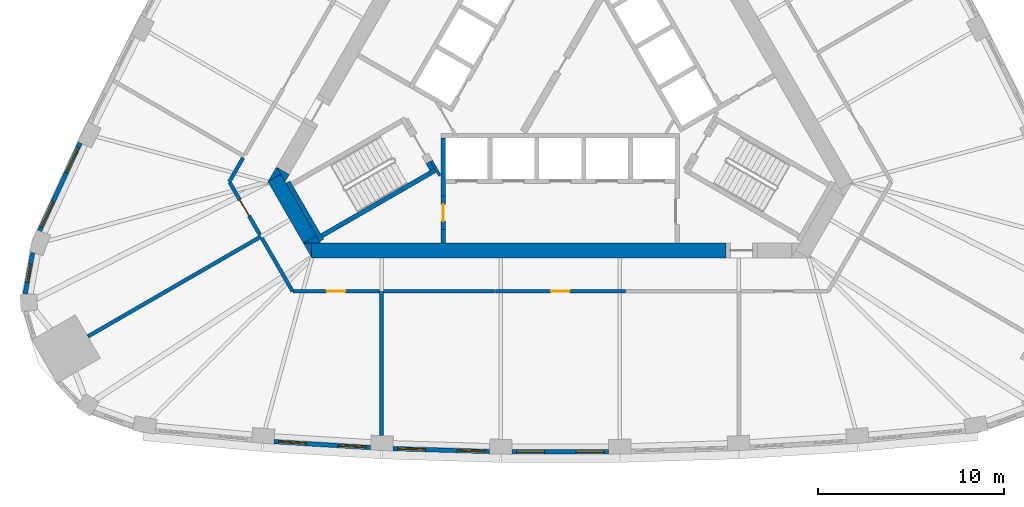
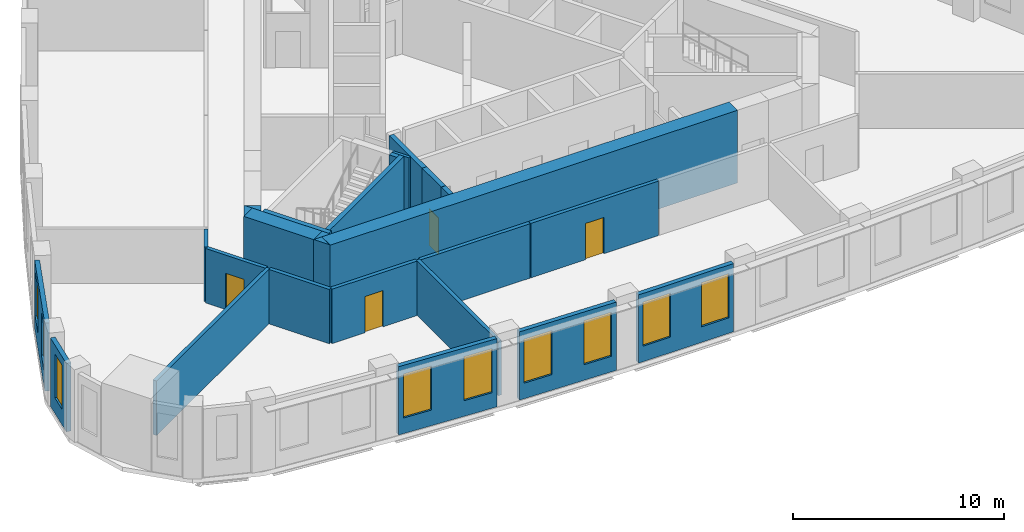
# One storey, part 3 of 9: 26 walls, 9 windows, 4 doors, 13 openings.
"""IFC4 building model written with IfcOpenShell, lengths in metres."""

from ifc_helpers import new_model, si_unit, direction, frame, frame_2d, origin, place, context, subcontext, project, spatial, polyline, rectangle, outline, extrude, material, layer, layer_set, type_object, element, fill, save


model = new_model("IFC4")

# Units and contexts
model_context = context("Model", 3, precision=1e-05, world=origin(), true_north=direction((0.0, 1.0)))
body_context = subcontext(model_context, "Body", "Model", "MODEL_VIEW")
ifc_project = project(units=[si_unit("LENGTHUNIT", "METRE"), si_unit("AREAUNIT", "SQUARE_METRE"), si_unit("VOLUMEUNIT", "CUBIC_METRE"), si_unit("PLANEANGLEUNIT", "RADIAN"), si_unit("MASSUNIT", "GRAM", prefix="KILO")], contexts=[model_context])

# Site, building, storey
site_placement = place(None, origin())
site = spatial("IfcSite", under=ifc_project, at=site_placement, CompositionType="ELEMENT")
building_placement = place(site_placement, origin())
building = spatial("IfcBuilding", under=site, at=building_placement, Name="Mestral Congress Tower", CompositionType="ELEMENT")
storey_placement = place(building_placement, frame((0.0, 0.0, 187.800048828125)))
storey = spatial("IfcBuildingStorey", under=building, at=storey_placement, Name="L44", CompositionType="ELEMENT", Elevation=187.800048828125)

# Walls
ifc_material_1 = material(Name="Concrete C60/75", Category="concrete")
ifc_layer_1 = layer(ifc_material_1, 0.800048828125)
ifc_layer_set_1 = layer_set([ifc_layer_1], Name="Concrete C60/75")
wall_type_1 = type_object("IfcWallType", Name="Core wall RC 800", PredefinedType="SOLIDWALL", material=ifc_layer_set_1)
wall_1_placement = place(storey_placement, frame((-13.377685546875, -10.050048828125, 0.0), z_axis=(0.0, 0.0, 1.0), x_axis=(1.0, 0.0, 0.0)))
element("IfcWall", 1, at=wall_1_placement, inside=storey, type_object=wall_type_1, Name="L44 core wall", PredefinedType="SOLIDWALL", context=body_context, shape_type="SweptSolid", body=[
    extrude(rectangle(XDim=22.281982421875, YDim=0.800048828125, at=frame_2d((11.14111328125, 0.0))), origin(), (0.0, 0.0, 1.0), 4.199951171875),
])
placement = place(storey_placement, origin())
element("IfcWall", 2, at=placement, inside=storey, type_object=wall_type_1, Name="L44 core wall", PredefinedType="SOLIDWALL", context=body_context, shape_type="SweptSolid", body=[
    extrude(outline(polyline([(-13.82763671875, -9.64990234375), (-13.379638671875, -9.64990234375), (-13.379638671875, -10.42578125), (-13.82763671875, -9.64990234375)])), origin(), (0.0, 0.0, 1.0), 4.199951171875),
])
wall_3_placement = place(storey_placement, frame((-15.392333984375, -6.1396484375, 0.0), z_axis=(0.0, 0.0, 1.0), x_axis=(0.499984020225, -0.866034629516, 0.0)))
element("IfcWall", 3, at=wall_3_placement, inside=storey, type_object=wall_type_1, Name="L44 core wall", PredefinedType="SOLIDWALL", context=body_context, shape_type="SweptSolid", body=[
    extrude(rectangle(XDim=3.824462890625, YDim=0.800048828125, at=frame_2d((1.912109375, 0.0))), origin(), (0.0, 0.0, 1.0), 4.199951171875),
])
element("IfcWall", 4, at=placement, inside=storey, type_object=wall_type_1, Name="L44 core wall", PredefinedType="SOLIDWALL", context=body_context, shape_type="SweptSolid", body=[
    extrude(outline(polyline([(-15.046875, -5.93798828125), (-15.718994140625, -6.325927734375), (-15.27099609375, -5.550048828125), (-15.046875, -5.93798828125)])), origin(), (0.0, 0.0, 1.0), 4.199951171875),
])
element("IfcWall", 5, at=placement, inside=storey, type_object=wall_type_1, Name="L44 core wall", PredefinedType="SOLIDWALL", context=body_context, shape_type="SweptSolid", body=[
    extrude(outline(polyline([(-12.90380859375, -9.64990234375), (-13.81982421875, -9.64990234375), (-13.1328125, -9.25341796875), (-12.90380859375, -9.64990234375)])), origin(), (0.0, 0.0, 1.0), 4.199951171875),
])
element("IfcWall", 6, at=placement, inside=storey, type_object=wall_type_1, Name="L44 core wall", PredefinedType="SOLIDWALL", context=body_context, shape_type="SweptSolid", body=[
    extrude(outline(polyline([(-14.80908203125, -6.35009765625), (-15.257080078125, -5.573974609375), (-14.5849609375, -5.9619140625), (-14.80908203125, -6.35009765625)])), origin(), (0.0, 0.0, 1.0), 4.199951171875),
])

# Wall, openings, windows
ifc_material_2 = material(Name="Precast concrete C40/50 with limestone facing", Category="masonry")
ifc_layer_2 = layer(ifc_material_2, 0.239990234375)
ifc_layer_set_2 = layer_set([ifc_layer_2], Name="Precast concrete C40/50 with limestone facing")
wall_type_2 = type_object("IfcWallType", Name="Facade stone wall 240", PredefinedType="SOLIDWALL", material=ifc_layer_set_2)
wall_7_placement = place(storey_placement, frame((-15.404541015625, -20.33837890625, 0.0), z_axis=(0.0, 0.0, 1.0), x_axis=(0.998135294646, -0.061040425794, 0.0)))
wall_7 = element("IfcWall", 7, at=wall_7_placement, inside=storey, type_object=wall_type_2, Name="Facade wall F0-01", PredefinedType="SOLIDWALL", context=body_context, shape_type="SweptSolid", body=[
    extrude(rectangle(XDim=5.20361328125, YDim=0.239990234375, at=frame_2d((2.601806640625, 0.0))), origin(), (0.0, 0.0, 1.0), 3.949951171875),
])
opening_1_placement = place(wall_7_placement, frame((0.248291015625, 0.0, 0.89990234375)))
opening_1 = element("IfcOpeningElement", 8, at=opening_1_placement, cuts=wall_7, Name="Opening W4", PredefinedType="OPENING", context=body_context, shape_type="SweptSolid", body=[
    extrude(rectangle(XDim=1.5, YDim=2.550048828125, at=frame_2d((0.75, 1.27490234375))), frame((0.0, 0.1298828125, 0.0), z_axis=(0.0, -1.0, 0.0), x_axis=(1.0, 0.0, 0.0)), (0.0, 0.0, 1.0), 0.260009765625),
])
opening_2_placement = place(wall_7_placement, frame((3.455078125, 0.0, 0.89990234375)))
opening_2 = element("IfcOpeningElement", 9, at=opening_2_placement, cuts=wall_7, Name="Opening W4", PredefinedType="OPENING", context=body_context, shape_type="SweptSolid", body=[
    extrude(rectangle(XDim=1.5, YDim=2.550048828125, at=frame_2d((0.75, 1.27490234375))), frame((0.0, 0.1298828125, 0.0), z_axis=(0.0, -1.0, 0.0), x_axis=(1.0, 0.0, 0.0)), (0.0, 0.0, 1.0), 0.260009765625),
])
ifc_material_3 = material(Name="Clear low-emissivity double glazing", Category="glass")
window_type_1 = type_object("IfcWindowType", Name="Facade punched window 1500 x 2550 sill 900", PartitioningType="SINGLE_PANEL", PredefinedType="WINDOW", material=ifc_material_3)
window_1_placement = place(opening_1_placement, origin())
window_1 = element("IfcWindow", 10, at=window_1_placement, inside=storey, type_object=window_type_1, Name="Window F0-01a", OverallHeight=2.550048828125, OverallWidth=1.5, PartitioningType="SINGLE_PANEL", PredefinedType="WINDOW", context=body_context, shape_type="SweptSolid", body=[
    extrude(rectangle(XDim=1.5, YDim=2.550048828125, at=frame_2d((0.75, 1.27490234375))), frame((0.0, 0.0400390625, 0.0), z_axis=(0.0, -1.0, 0.0), x_axis=(1.0, 0.0, 0.0)), (0.0, 0.0, 1.0), 0.06005859375),
])
fill(opening_1, window_1)
window_2_placement = place(opening_2_placement, origin())
window_2 = element("IfcWindow", 11, at=window_2_placement, inside=storey, type_object=window_type_1, Name="Window F0-01b", OverallHeight=2.550048828125, OverallWidth=1.5, PartitioningType="SINGLE_PANEL", PredefinedType="WINDOW", context=body_context, shape_type="SweptSolid", body=[
    extrude(rectangle(XDim=1.5, YDim=2.550048828125, at=frame_2d((0.75, 1.27490234375))), frame((0.0, 0.0400390625, 0.0), z_axis=(0.0, -1.0, 0.0), x_axis=(1.0, 0.0, 0.0)), (0.0, 0.0, 1.0), 0.06005859375),
])
fill(opening_2, window_2)

wall_8_placement = place(storey_placement, frame((-9.00732421875, -20.7109375, 0.0), z_axis=(0.0, 0.0, 1.0), x_axis=(0.999533441983, -0.030543384845, 0.0)))
wall_8 = element("IfcWall", 12, at=wall_8_placement, inside=storey, type_object=wall_type_2, Name="Facade wall F0-02", PredefinedType="SOLIDWALL", context=body_context, shape_type="SweptSolid", body=[
    extrude(rectangle(XDim=5.20361328125, YDim=0.239990234375, at=frame_2d((2.601806640625, 0.0))), origin(), (0.0, 0.0, 1.0), 3.949951171875),
])
opening_3_placement = place(wall_8_placement, frame((0.248291015625, 0.0, 0.89990234375)))
opening_3 = element("IfcOpeningElement", 13, at=opening_3_placement, cuts=wall_8, Name="Opening W4", PredefinedType="OPENING", context=body_context, shape_type="SweptSolid", body=[
    extrude(rectangle(XDim=1.5, YDim=2.550048828125, at=frame_2d((0.75, 1.27490234375))), frame((0.0, 0.1298828125, 0.0), z_axis=(0.0, -1.0, 0.0), x_axis=(1.0, 0.0, 0.0)), (0.0, 0.0, 1.0), 0.260009765625),
])
opening_4_placement = place(wall_8_placement, frame((3.455078125, 0.0, 0.89990234375)))
opening_4 = element("IfcOpeningElement", 14, at=opening_4_placement, cuts=wall_8, Name="Opening W4", PredefinedType="OPENING", context=body_context, shape_type="SweptSolid", body=[
    extrude(rectangle(XDim=1.5, YDim=2.550048828125, at=frame_2d((0.75, 1.27490234375))), frame((0.0, 0.1298828125, 0.0), z_axis=(0.0, -1.0, 0.0), x_axis=(1.0, 0.0, 0.0)), (0.0, 0.0, 1.0), 0.260009765625),
])
window_3_placement = place(opening_3_placement, origin())
window_3 = element("IfcWindow", 15, at=window_3_placement, inside=storey, type_object=window_type_1, Name="Window F0-02a", OverallHeight=2.550048828125, OverallWidth=1.5, PartitioningType="SINGLE_PANEL", PredefinedType="WINDOW", context=body_context, shape_type="SweptSolid", body=[
    extrude(rectangle(XDim=1.5, YDim=2.550048828125, at=frame_2d((0.75, 1.27490234375))), frame((0.0, 0.0400390625, 0.0), z_axis=(0.0, -1.0, 0.0), x_axis=(1.0, 0.0, 0.0)), (0.0, 0.0, 1.0), 0.06005859375),
])
fill(opening_3, window_3)
window_4_placement = place(opening_4_placement, origin())
window_4 = element("IfcWindow", 16, at=window_4_placement, inside=storey, type_object=window_type_1, Name="Window F0-02b", OverallHeight=2.550048828125, OverallWidth=1.5, PartitioningType="SINGLE_PANEL", PredefinedType="WINDOW", context=body_context, shape_type="SweptSolid", body=[
    extrude(rectangle(XDim=1.5, YDim=2.550048828125, at=frame_2d((0.75, 1.27490234375))), frame((0.0, 0.0400390625, 0.0), z_axis=(0.0, -1.0, 0.0), x_axis=(1.0, 0.0, 0.0)), (0.0, 0.0, 1.0), 0.06005859375),
])
fill(opening_4, window_4)

wall_9_placement = place(storey_placement, frame((-2.601806640625, -20.88818359375, 0.0), z_axis=(0.0, 0.0, 1.0), x_axis=(1.0, 0.0, 0.0)))
wall_9 = element("IfcWall", 17, at=wall_9_placement, inside=storey, type_object=wall_type_2, Name="Facade wall F0-03", PredefinedType="SOLIDWALL", context=body_context, shape_type="SweptSolid", body=[
    extrude(rectangle(XDim=5.20361328125, YDim=0.239990234375, at=frame_2d((2.601806640625, 0.0))), origin(), (0.0, 0.0, 1.0), 3.949951171875),
])
opening_5_placement = place(wall_9_placement, frame((0.248291015625, 0.0, 0.89990234375)))
opening_5 = element("IfcOpeningElement", 18, at=opening_5_placement, cuts=wall_9, Name="Opening W4", PredefinedType="OPENING", context=body_context, shape_type="SweptSolid", body=[
    extrude(rectangle(XDim=1.5, YDim=2.550048828125, at=frame_2d((0.75, 1.27490234375))), frame((0.0, 0.1298828125, 0.0), z_axis=(0.0, -1.0, 0.0), x_axis=(1.0, 0.0, 0.0)), (0.0, 0.0, 1.0), 0.260009765625),
])
opening_6_placement = place(wall_9_placement, frame((3.455078125, 0.0, 0.89990234375)))
opening_6 = element("IfcOpeningElement", 19, at=opening_6_placement, cuts=wall_9, Name="Opening W4", PredefinedType="OPENING", context=body_context, shape_type="SweptSolid", body=[
    extrude(rectangle(XDim=1.5, YDim=2.550048828125, at=frame_2d((0.75, 1.27490234375))), frame((0.0, 0.1298828125, 0.0), z_axis=(0.0, -1.0, 0.0), x_axis=(1.0, 0.0, 0.0)), (0.0, 0.0, 1.0), 0.260009765625),
])
window_5_placement = place(opening_5_placement, origin())
window_5 = element("IfcWindow", 20, at=window_5_placement, inside=storey, type_object=window_type_1, Name="Window F0-03a", OverallHeight=2.550048828125, OverallWidth=1.5, PartitioningType="SINGLE_PANEL", PredefinedType="WINDOW", context=body_context, shape_type="SweptSolid", body=[
    extrude(rectangle(XDim=1.5, YDim=2.550048828125, at=frame_2d((0.75, 1.27490234375))), frame((0.0, 0.0400390625, 0.0), z_axis=(0.0, -1.0, 0.0), x_axis=(1.0, 0.0, 0.0)), (0.0, 0.0, 1.0), 0.06005859375),
])
fill(opening_5, window_5)
window_6_placement = place(opening_6_placement, origin())
window_6 = element("IfcWindow", 21, at=window_6_placement, inside=storey, type_object=window_type_1, Name="Window F0-03b", OverallHeight=2.550048828125, OverallWidth=1.5, PartitioningType="SINGLE_PANEL", PredefinedType="WINDOW", context=body_context, shape_type="SweptSolid", body=[
    extrude(rectangle(XDim=1.5, YDim=2.550048828125, at=frame_2d((0.75, 1.27490234375))), frame((0.0, 0.0400390625, 0.0), z_axis=(0.0, -1.0, 0.0), x_axis=(1.0, 0.0, 0.0)), (0.0, 0.0, 1.0), 0.06005859375),
])
fill(opening_6, window_6)

wall_10_placement = place(storey_placement, frame((-25.8369140625, -4.2578125, 0.0), z_axis=(0.0, 0.0, 1.0), x_axis=(-0.418722559465, -0.908114209885, 0.0)))
wall_10 = element("IfcWall", 22, at=wall_10_placement, inside=storey, type_object=wall_type_2, Name="Facade wall F2-06", PredefinedType="SOLIDWALL", context=body_context, shape_type="SweptSolid", body=[
    extrude(rectangle(XDim=5.213134765625, YDim=0.239990234375, at=frame_2d((2.6064453125, 0.0))), origin(), (0.0, 0.0, 1.0), 3.949951171875),
])
opening_7_placement = place(wall_10_placement, frame((0.2607421875, 0.0, 0.89990234375)))
opening_7 = element("IfcOpeningElement", 23, at=opening_7_placement, cuts=wall_10, Name="Opening W4", PredefinedType="OPENING", context=body_context, shape_type="SweptSolid", body=[
    extrude(rectangle(XDim=1.5, YDim=2.550048828125, at=frame_2d((0.75, 1.27490234375))), frame((0.0, 0.1298828125, 0.0), z_axis=(0.0, -1.0, 0.0), x_axis=(1.0, 0.0, 0.0)), (0.0, 0.0, 1.0), 0.260009765625),
])
opening_8_placement = place(wall_10_placement, frame((3.492431640625, 0.0, 0.89990234375)))
opening_8 = element("IfcOpeningElement", 24, at=opening_8_placement, cuts=wall_10, Name="Opening W4", PredefinedType="OPENING", context=body_context, shape_type="SweptSolid", body=[
    extrude(rectangle(XDim=1.5, YDim=2.550048828125, at=frame_2d((0.75, 1.27490234375))), frame((0.0, 0.1298828125, 0.0), z_axis=(0.0, -1.0, 0.0), x_axis=(1.0, 0.0, 0.0)), (0.0, 0.0, 1.0), 0.260009765625),
])
window_7_placement = place(opening_7_placement, origin())
window_7 = element("IfcWindow", 25, at=window_7_placement, inside=storey, type_object=window_type_1, Name="Window F2-06a", OverallHeight=2.550048828125, OverallWidth=1.5, PartitioningType="SINGLE_PANEL", PredefinedType="WINDOW", context=body_context, shape_type="SweptSolid", body=[
    extrude(rectangle(XDim=1.5, YDim=2.550048828125, at=frame_2d((0.75, 1.27490234375))), frame((0.0, 0.0400390625, 0.0), z_axis=(0.0, -1.0, 0.0), x_axis=(1.0, 0.0, 0.0)), (0.0, 0.0, 1.0), 0.06005859375),
])
fill(opening_7, window_7)
window_8_placement = place(opening_8_placement, origin())
window_8 = element("IfcWindow", 26, at=window_8_placement, inside=storey, type_object=window_type_1, Name="Window F2-06b", OverallHeight=2.550048828125, OverallWidth=1.5, PartitioningType="SINGLE_PANEL", PredefinedType="WINDOW", context=body_context, shape_type="SweptSolid", body=[
    extrude(rectangle(XDim=1.5, YDim=2.550048828125, at=frame_2d((0.75, 1.27490234375))), frame((0.0, 0.0400390625, 0.0), z_axis=(0.0, -1.0, 0.0), x_axis=(1.0, 0.0, 0.0)), (0.0, 0.0, 1.0), 0.06005859375),
])
fill(opening_8, window_8)

# Wall, opening, window
wall_11_placement = place(storey_placement, frame((-28.392578125, -10.166748046875, 0.0), z_axis=(0.0, 0.0, 1.0), x_axis=(-0.180737189259, -0.983531427265, 0.0)))
wall_11 = element("IfcWall", 27, at=wall_11_placement, inside=storey, type_object=wall_type_2, Name="Facade wall K2-0", PredefinedType="SOLIDWALL", context=body_context, shape_type="SweptSolid", body=[
    extrude(rectangle(XDim=2.25048828125, YDim=0.239990234375, at=frame_2d((1.125244140625, 0.0))), origin(), (0.0, 0.0, 1.0), 3.949951171875),
])
opening_9_placement = place(wall_11_placement, frame((0.625244140625, 0.0, 0.89990234375)))
opening_9 = element("IfcOpeningElement", 28, at=opening_9_placement, cuts=wall_11, Name="Opening W5", PredefinedType="OPENING", context=body_context, shape_type="SweptSolid", body=[
    extrude(rectangle(XDim=1.0, YDim=2.550048828125, at=frame_2d((0.5, 1.27490234375))), frame((0.0, 0.1298828125, 0.0), z_axis=(0.0, -1.0, 0.0), x_axis=(1.0, 0.0, 0.0)), (0.0, 0.0, 1.0), 0.260009765625),
])
window_type_2 = type_object("IfcWindowType", Name="Facade punched window 1000 x 2550 sill 900", PartitioningType="SINGLE_PANEL", PredefinedType="WINDOW", material=ifc_material_3)
window_9_placement = place(opening_9_placement, origin())
window_9 = element("IfcWindow", 29, at=window_9_placement, inside=storey, type_object=window_type_2, Name="Window K2-0", OverallHeight=2.550048828125, OverallWidth=1.0, PartitioningType="SINGLE_PANEL", PredefinedType="WINDOW", context=body_context, shape_type="SweptSolid", body=[
    extrude(rectangle(XDim=1.0, YDim=2.550048828125, at=frame_2d((0.5, 1.27490234375))), frame((0.0, 0.0400390625, 0.0), z_axis=(0.0, -1.0, 0.0), x_axis=(1.0, 0.0, 0.0)), (0.0, 0.0, 1.0), 0.06005859375),
])
fill(opening_9, window_9)

# Wall
ifc_material_4 = material(Name="Dense masonry wall, plastered", Category="masonry")
ifc_layer_3 = layer(ifc_material_4, 0.199951171875)
ifc_layer_set_3 = layer_set([ifc_layer_3], Name="Dense masonry wall, plastered")
wall_type_3 = type_object("IfcWallType", Name="Office tenancy wall 200", PredefinedType="PARTITIONING", material=ifc_layer_set_3)
wall_12_placement = place(storey_placement, frame((-9.6171875, -20.011474609375, 0.0), z_axis=(0.0, 0.0, 1.0), x_axis=(0.0, 1.0, 0.0)))
element("IfcWall", 30, at=wall_12_placement, inside=storey, type_object=wall_type_3, Name="Tenancy wall", PredefinedType="PARTITIONING", context=body_context, shape_type="SweptSolid", body=[
    extrude(rectangle(XDim=7.761474609375, YDim=0.199951171875, at=frame_2d((3.880859375, 0.0))), origin(), (0.0, 0.0, 1.0), 3.14990234375),
])

# Wall, opening, door
wall_13_placement = place(storey_placement, frame((-3.5, -12.25, 0.0), z_axis=(0.0, 0.0, 1.0), x_axis=(1.0, 0.0, 0.0)))
wall_13 = element("IfcWall", 31, at=wall_13_placement, inside=storey, type_object=wall_type_3, Name="Tenancy wall", PredefinedType="PARTITIONING", context=body_context, shape_type="SweptSolid", body=[
    extrude(rectangle(XDim=7.0, YDim=0.199951171875, at=frame_2d((3.5, 0.0))), origin(), (0.0, 0.0, 1.0), 3.14990234375),
])
opening_10_placement = place(wall_13_placement, frame((3.0, 0.0, 0.0)))
opening_10 = element("IfcOpeningElement", 32, at=opening_10_placement, cuts=wall_13, Name="Opening O04-001", PredefinedType="OPENING", context=body_context, shape_type="SweptSolid", body=[
    extrude(rectangle(XDim=1.0, YDim=2.10009765625, at=frame_2d((0.5, 1.050048828125))), frame((0.0, 0.10986328125, 0.0), z_axis=(0.0, -1.0, 0.0), x_axis=(1.0, 0.0, 0.0)), (0.0, 0.0, 1.0), 0.219970703125),
])
ifc_material_5 = material(Name="Fire-rated timber door set", Category="wood")
door_type_1 = type_object("IfcDoorType", Name="Office tenancy entrance door 1000x2100", OperationType="SINGLE_SWING_LEFT", PredefinedType="DOOR", material=ifc_material_5)
door_1_placement = place(opening_10_placement, origin())
door_1 = element("IfcDoor", 33, at=door_1_placement, inside=storey, type_object=door_type_1, Name="Door O04-001", OperationType="SINGLE_SWING_RIGHT", OverallHeight=2.10009765625, OverallWidth=1.0, PredefinedType="DOOR", context=body_context, shape_type="SweptSolid", body=[
    extrude(rectangle(XDim=1.0, YDim=2.10009765625, at=frame_2d((0.5, 1.050048828125))), frame((0.0, 0.02490234375, 0.0), z_axis=(0.0, -1.0, 0.0), x_axis=(1.0, 0.0, 0.0)), (0.0, 0.0, 1.0), 0.050048828125),
])
fill(opening_10, door_1)

# Walls
wall_14_placement = place(storey_placement, frame((-9.51708984375, -12.25, 0.0), z_axis=(0.0, 0.0, 1.0), x_axis=(1.0, 0.0, 0.0)))
element("IfcWall", 34, at=wall_14_placement, inside=storey, type_object=wall_type_3, Name="Tenancy wall", PredefinedType="PARTITIONING", context=body_context, shape_type="SweptSolid", body=[
    extrude(rectangle(XDim=5.987060546875, YDim=0.199951171875, at=frame_2d((2.99365234375, 0.0))), origin(), (0.0, 0.0, 1.0), 3.14990234375),
])
wall_15_placement = place(storey_placement, frame((-16.108154296875, -9.300048828125, 0.0), z_axis=(0.0, 0.0, 1.0), x_axis=(-0.866027180319, -0.499996922939, 0.0)))
element("IfcWall", 35, at=wall_15_placement, inside=storey, type_object=wall_type_3, Name="Tenancy wall", PredefinedType="PARTITIONING", context=body_context, shape_type="SweptSolid", body=[
    extrude(rectangle(XDim=10.75390625, YDim=0.199951171875, at=frame_2d((5.376953125, 0.0))), origin(), (0.0, 0.0, 1.0), 3.14990234375),
])
wall_16_placement = place(storey_placement, frame((-17.06787109375, -5.062255859375, 0.0), z_axis=(0.0, 0.0, 1.0), x_axis=(-0.499935638681, -0.86606255962, 0.0)))
element("IfcWall", 36, at=wall_16_placement, inside=storey, type_object=wall_type_3, Name="Tenancy wall", PredefinedType="PARTITIONING", context=body_context, shape_type="SweptSolid", body=[
    extrude(rectangle(XDim=1.487060546875, YDim=0.199951171875, at=frame_2d((0.74365234375, 0.0))), origin(), (0.0, 0.0, 1.0), 3.14990234375),
])

# Wall, opening, door
wall_17_placement = place(storey_placement, frame((-17.79638671875, -6.3759765625, 0.0), z_axis=(0.0, 0.0, 1.0), x_axis=(0.500001965626, -0.866024268927, 0.0)))
wall_17 = element("IfcWall", 37, at=wall_17_placement, inside=storey, type_object=wall_type_3, Name="Tenancy wall", PredefinedType="PARTITIONING", context=body_context, shape_type="SweptSolid", body=[
    extrude(rectangle(XDim=3.2763671875, YDim=0.199951171875, at=frame_2d((1.63818359375, 0.0))), origin(), (0.0, 0.0, 1.0), 3.14990234375),
])
opening_11_placement = place(wall_17_placement, frame((1.10009765625, 0.0, 0.0)))
opening_11 = element("IfcOpeningElement", 38, at=opening_11_placement, cuts=wall_17, Name="Opening O04-009", PredefinedType="OPENING", context=body_context, shape_type="SweptSolid", body=[
    extrude(rectangle(XDim=1.0, YDim=2.10009765625, at=frame_2d((0.5, 1.050048828125))), frame((0.0, 0.10986328125, 0.0), z_axis=(0.0, -1.0, 0.0), x_axis=(1.0, 0.0, 0.0)), (0.0, 0.0, 1.0), 0.219970703125),
])
door_2_placement = place(opening_11_placement, origin())
door_2 = element("IfcDoor", 39, at=door_2_placement, inside=storey, type_object=door_type_1, Name="Door O04-009", OperationType="SINGLE_SWING_LEFT", OverallHeight=2.10009765625, OverallWidth=1.0, PredefinedType="DOOR", context=body_context, shape_type="SweptSolid", body=[
    extrude(rectangle(XDim=1.0, YDim=2.10009765625, at=frame_2d((0.5, 1.050048828125))), frame((0.0, 0.02490234375, 0.0), z_axis=(0.0, -1.0, 0.0), x_axis=(1.0, 0.0, 0.0)), (0.0, 0.0, 1.0), 0.050048828125),
])
fill(opening_11, door_2)

# Wall
wall_18_placement = place(storey_placement, frame((-16.05810546875, -9.38671875, 0.0), z_axis=(0.0, 0.0, 1.0), x_axis=(0.500046299512, -0.865998671098, 0.0)))
element("IfcWall", 40, at=wall_18_placement, inside=storey, type_object=wall_type_3, Name="Tenancy wall", PredefinedType="PARTITIONING", context=body_context, shape_type="SweptSolid", body=[
    extrude(rectangle(XDim=3.306396484375, YDim=0.199951171875, at=frame_2d((1.6533203125, 0.0))), origin(), (0.0, 0.0, 1.0), 3.14990234375),
])

# Wall, opening, door
wall_19_placement = place(storey_placement, frame((-14.375, -12.25, 0.0), z_axis=(0.0, 0.0, 1.0), x_axis=(1.0, 0.0, 0.0)))
wall_19 = element("IfcWall", 41, at=wall_19_placement, inside=storey, type_object=wall_type_3, Name="Tenancy wall", PredefinedType="PARTITIONING", context=body_context, shape_type="SweptSolid", body=[
    extrude(rectangle(XDim=4.65771484375, YDim=0.199951171875, at=frame_2d((2.328857421875, 0.0))), origin(), (0.0, 0.0, 1.0), 3.14990234375),
])
opening_12_placement = place(wall_19_placement, frame((1.800048828125, 0.0, 0.0)))
opening_12 = element("IfcOpeningElement", 42, at=opening_12_placement, cuts=wall_19, Name="Opening O04-010", PredefinedType="OPENING", context=body_context, shape_type="SweptSolid", body=[
    extrude(rectangle(XDim=1.0, YDim=2.10009765625, at=frame_2d((0.5, 1.050048828125))), frame((0.0, 0.10986328125, 0.0), z_axis=(0.0, -1.0, 0.0), x_axis=(1.0, 0.0, 0.0)), (0.0, 0.0, 1.0), 0.219970703125),
])
door_3_placement = place(opening_12_placement, origin())
door_3 = element("IfcDoor", 43, at=door_3_placement, inside=storey, type_object=door_type_1, Name="Door O04-010", OperationType="SINGLE_SWING_LEFT", OverallHeight=2.10009765625, OverallWidth=1.0, PredefinedType="DOOR", context=body_context, shape_type="SweptSolid", body=[
    extrude(rectangle(XDim=1.0, YDim=2.10009765625, at=frame_2d((0.5, 1.050048828125))), frame((0.0, 0.02490234375, 0.0), z_axis=(0.0, -1.0, 0.0), x_axis=(1.0, 0.0, 0.0)), (0.0, 0.0, 1.0), 0.050048828125),
])
fill(opening_12, door_3)

# Walls
ifc_layer_4 = layer(ifc_material_1, 0.25)
ifc_layer_set_4 = layer_set([ifc_layer_4], Name="Concrete C60/75")
wall_type_4 = type_object("IfcWallType", Name="Shaft wall RC 250", PredefinedType="SOLIDWALL", material=ifc_layer_set_4)
wall_20_placement = place(storey_placement, frame((-6.300048828125, -8.9248046875, 0.0), z_axis=(0.0, 0.0, 1.0), x_axis=(0.0, -1.0, 0.0)))
element("IfcWall", 44, at=wall_20_placement, inside=storey, type_object=wall_type_4, Name="L44 core wall", PredefinedType="SOLIDWALL", context=body_context, shape_type="SweptSolid", body=[
    extrude(rectangle(XDim=0.72509765625, YDim=0.25, at=frame_2d((0.362548828125, 0.0))), origin(), (0.0, 0.0, 1.0), 4.199951171875),
])
wall_21_placement = place(storey_placement, frame((-6.300048828125, -7.12451171875, 0.0), z_axis=(0.0, 0.0, 1.0), x_axis=(0.0, 1.0, 0.0)))
element("IfcWall", 45, at=wall_21_placement, inside=storey, type_object=wall_type_4, Name="L44 core wall", PredefinedType="SOLIDWALL", context=body_context, shape_type="SweptSolid", body=[
    extrude(rectangle(XDim=3.12451171875, YDim=0.25, at=frame_2d((1.562255859375, 0.0))), origin(), (0.0, 0.0, 1.0), 4.199951171875),
])

# Wall, opening, door
wall_22_placement = place(storey_placement, frame((-6.300048828125, -7.12451171875, 0.0), z_axis=(0.0, 0.0, 1.0), x_axis=(0.0, -1.0, 0.0)))
wall_22 = element("IfcWall", 46, at=wall_22_placement, inside=storey, type_object=wall_type_4, Name="L44 door wall", PredefinedType="SOLIDWALL", context=body_context, shape_type="SweptSolid", body=[
    extrude(rectangle(XDim=1.800048828125, YDim=0.25, at=frame_2d((0.89990234375, 0.0))), origin(), (0.0, 0.0, 1.0), 4.199951171875),
])
opening_13_placement = place(wall_22_placement, frame((0.449951171875, 0.0, 0.0)))
opening_13 = element("IfcOpeningElement", 47, at=opening_13_placement, cuts=wall_22, Name="Opening TD3", PredefinedType="OPENING", context=body_context, shape_type="SweptSolid", body=[
    extrude(rectangle(XDim=0.89990234375, YDim=2.10009765625, at=frame_2d((0.449951171875, 1.050048828125))), frame((0.0, 0.135009765625, 0.0), z_axis=(0.0, -1.0, 0.0), x_axis=(1.0, 0.0, 0.0)), (0.0, 0.0, 1.0), 0.27001953125),
])
ifc_material_6 = material(Name="Fire-rated steel door set", Category="steel")
door_type_2 = type_object("IfcDoorType", Name="Core door SR 900x2100", OperationType="SINGLE_SWING_LEFT", PredefinedType="DOOR", material=ifc_material_6)
door_4_placement = place(opening_13_placement, origin())
door_4 = element("IfcDoor", 48, at=door_4_placement, inside=storey, type_object=door_type_2, Name="Door TD3", OperationType="SINGLE_SWING_LEFT", OverallHeight=2.10009765625, OverallWidth=0.89990234375, PredefinedType="DOOR", context=body_context, shape_type="SweptSolid", body=[
    extrude(rectangle(XDim=0.89990234375, YDim=2.10009765625, at=frame_2d((0.449951171875, 1.050048828125))), frame((0.0, 0.02490234375, 0.0), z_axis=(0.0, -1.0, 0.0), x_axis=(1.0, 0.0, 0.0)), (0.0, 0.0, 1.0), 0.050048828125),
])
fill(opening_13, door_4)

# Walls
ifc_layer_5 = layer(ifc_material_1, 0.14990234375)
ifc_layer_set_5 = layer_set([ifc_layer_5], Name="Concrete C60/75")
wall_type_5 = type_object("IfcWallType", Name="Shaft wall RC 250 door-wall 150", PredefinedType="SOLIDWALL", material=ifc_layer_set_5)
wall_23_placement = place(storey_placement, frame((-6.48046875, -6.026611328125, 0.0), z_axis=(0.0, 0.0, 1.0), x_axis=(-0.499927229454, 0.866067413802, 0.0)))
element("IfcWall", 49, at=wall_23_placement, inside=storey, type_object=wall_type_5, Name="L44 core wall", PredefinedType="PARTITIONING", context=body_context, shape_type="SweptSolid", body=[
    extrude(rectangle(XDim=0.928955078125, YDim=0.14990234375, at=frame_2d((0.46435546875, 0.0))), origin(), (0.0, 0.0, 1.0), 4.199951171875),
])
ifc_layer_6 = layer(ifc_material_1, 0.25)
ifc_layer_set_6 = layer_set([ifc_layer_6], Name="Concrete C60/75")
wall_type_6 = type_object("IfcWallType", Name="Stair wall RC 250", PredefinedType="SOLIDWALL", material=ifc_layer_set_6)
wall_24_placement = place(storey_placement, frame((-12.839599609375, -9.510986328125, 0.0), z_axis=(0.0, 0.0, 1.0), x_axis=(-0.499997733992, 0.866026712061, 0.0)))
element("IfcWall", 50, at=wall_24_placement, inside=storey, type_object=wall_type_6, Name="L44 core wall", PredefinedType="SOLIDWALL", context=body_context, shape_type="SweptSolid", body=[
    extrude(rectangle(XDim=3.6337890625, YDim=0.25, at=frame_2d((1.81689453125, 0.0))), origin(), (0.0, 0.0, 1.0), 4.199951171875),
])
wall_25_placement = place(storey_placement, frame((-12.83984375, -9.2607421875, 0.0), z_axis=(0.0, 0.0, 1.0), x_axis=(0.866016039709, 0.500016218704, 0.0)))
element("IfcWall", 51, at=wall_25_placement, inside=storey, type_object=wall_type_6, Name="L44 core wall", PredefinedType="SOLIDWALL", context=body_context, shape_type="SweptSolid", body=[
    extrude(rectangle(XDim=7.050048828125, YDim=0.25, at=frame_2d((3.52490234375, 0.0))), origin(), (0.0, 0.0, 1.0), 4.199951171875),
])
wall_26_placement = place(storey_placement, frame((-6.905029296875, -5.68994140625, 0.0), z_axis=(0.0, 0.0, 1.0), x_axis=(-0.500402024738, 0.865793170242, 0.0)))
element("IfcWall", 52, at=wall_26_placement, inside=storey, type_object=wall_type_6, Name="L44 core wall", PredefinedType="SOLIDWALL", context=body_context, shape_type="SweptSolid", body=[
    extrude(rectangle(XDim=0.425048828125, YDim=0.25, at=frame_2d((0.21240234375, 0.0))), origin(), (0.0, 0.0, 1.0), 4.199951171875),
])

save(model, "model.ifc")
